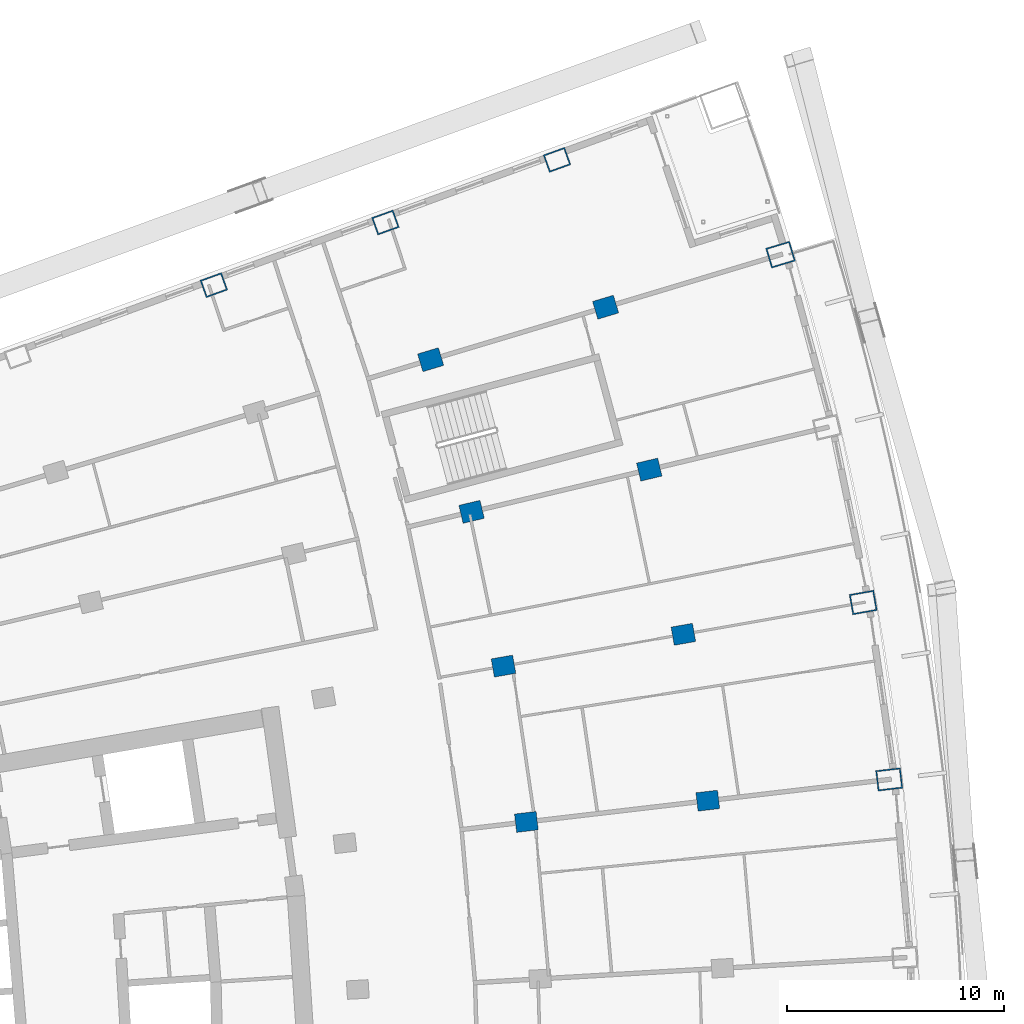
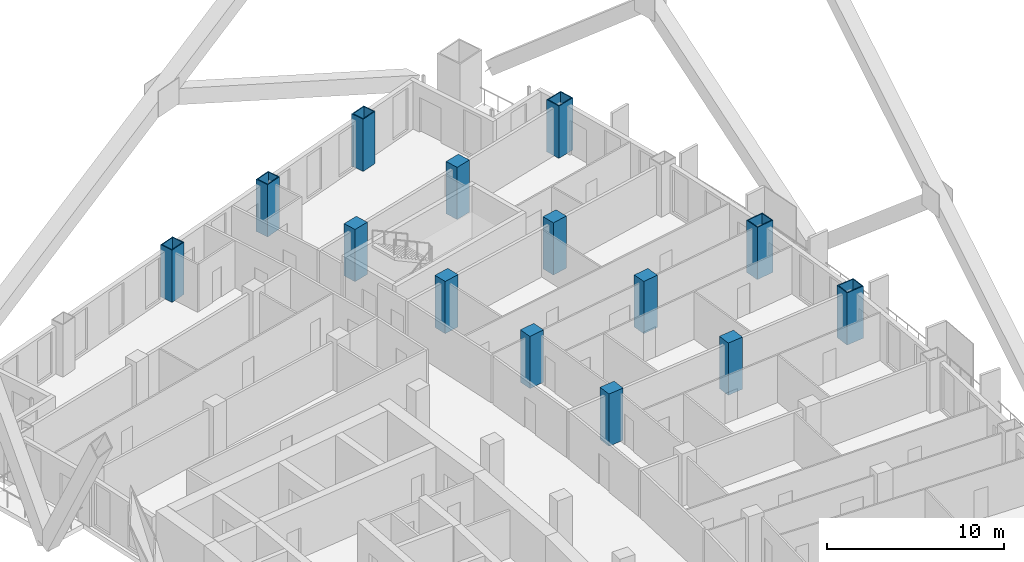
# One storey, part 7 of 24: 14 columns.
"""IFC4 building model written with IfcOpenShell, lengths in metres."""

from ifc_helpers import new_model, si_unit, direction, frame, origin, origin_2d, place, context, subcontext, project, spatial, rectangle, hollow_rectangle, extrude, material, material_profile, profile_set, type_object, element, save


model = new_model("IFC4")

# Units and contexts
model_context = context("Model", 3, precision=1e-05, world=origin(), true_north=direction((0.0, 1.0)))
body_context = subcontext(model_context, "Body", "Model", "MODEL_VIEW")
ifc_project = project(units=[si_unit("LENGTHUNIT", "METRE"), si_unit("AREAUNIT", "SQUARE_METRE"), si_unit("VOLUMEUNIT", "CUBIC_METRE"), si_unit("PLANEANGLEUNIT", "RADIAN"), si_unit("MASSUNIT", "GRAM", prefix="KILO")], contexts=[model_context])

# Site, building, storey
site_placement = place(None, origin())
site = spatial("IfcSite", under=ifc_project, at=site_placement, CompositionType="ELEMENT")
building_placement = place(site_placement, origin())
building = spatial("IfcBuilding", under=site, at=building_placement, Name="Alderwake Tower", CompositionType="ELEMENT")
storey_placement = place(building_placement, frame((0.0, 0.0, 104.0)))
storey = spatial("IfcBuildingStorey", under=building, at=storey_placement, Name="L25", CompositionType="ELEMENT", Elevation=104.0)

# Columns
ifc_material_1 = material(Name="Steel ASTM A572 Grade 50 concrete filled C70/85", Category="concrete")
ifc_material_profile_1 = material_profile(ifc_material_1, hollow_rectangle(XDim=0.85009765625, YDim=1.050048828125, WallThickness=0.06005859375, at=origin_2d()), Name="BOX 1050X850X60")
ifc_profile_set_1 = profile_set([ifc_material_profile_1], Name="Steel ASTM A572 Grade 50 concrete filled C70/85")
column_type_1 = type_object("IfcColumnType", Name="End column Z2", PredefinedType="COLUMN", material=ifc_profile_set_1)
for number, where, z_axis, x_axis, name in (
    (1, (28.983642578125, 100.143310546875, 0.0), (0.0, 0.0, 1.0), (-0.338026774049, 0.941136493834, 0.0), "Column R13-C2"),
    (2, (36.87451171875, 103.023681640625, 0.0), (0.0, 0.0, 1.0), (-0.338355272059, 0.941018442896, 0.0), "Column R13-C3"),
    (3, (44.765380859375, 105.904296875, 0.0), (0.0, 0.0, 1.0), (-0.338644316206, 0.940914463223, 0.0), "Column R13-C4"),
):
    element("IfcColumn", number, at=place(storey_placement, frame(where, z_axis=z_axis, x_axis=x_axis)), inside=storey, type_object=column_type_1, Name=name, PredefinedType="COLUMN", context=body_context, shape_type="SweptSolid", body=[
        extrude(hollow_rectangle(XDim=0.85009765625, YDim=1.050048828125, WallThickness=0.06005859375, at=origin_2d()), origin(), (0.0, 0.0, 1.0), 3.60009765625),
    ])
ifc_material_2 = material(Name="Concrete C70/85", Category="concrete")
ifc_material_profile_2 = material_profile(ifc_material_2, rectangle(XDim=0.85009765625, YDim=1.0, at=origin_2d()), Name="RC 1000X850")
ifc_profile_set_2 = profile_set([ifc_material_profile_2], Name="Concrete C70/85")
column_type_2 = type_object("IfcColumnType", Name="Interior column Z2", PredefinedType="COLUMN", material=ifc_profile_set_2)
for number, where, z_axis, x_axis, name in (
    (4, (43.355712890625, 75.457275390625, 0.0), (0.0, 0.0, 1.0), (-0.116402054316, 0.993202175668, 0.0), "Column R09-C3"),
    (5, (51.698486328125, 76.434814453125, 0.0), (0.0, 0.0, 1.0), (-0.116402054316, 0.993202175668, 0.0), "Column R09-C4"),
    (6, (42.302978515625, 82.624267578125, 0.0), (0.0, 0.0, 1.0), (-0.174108800747, 0.984726421654, 0.0), "Column R10-C3"),
    (7, (50.57470703125, 84.086669921875, 0.0), (0.0, 0.0, 1.0), (-0.174107082075, 0.984726725529, 0.0), "Column R10-C4"),
    (8, (40.834228515625, 89.7177734375, 0.0), (0.0, 0.0, 1.0), (-0.231221547198, 0.972901123502, 0.0), "Column R11-C3"),
    (9, (49.006591796875, 91.659912109375, 0.0), (0.0, 0.0, 1.0), (-0.231221547198, 0.972901123502, 0.0), "Column R11-C4"),
    (10, (38.95458984375, 96.713623046875, 0.0), (0.0, 0.0, 1.0), (-0.287549418125, 0.957765802342, 0.0), "Column R12-C3"),
    (11, (46.999755859375, 99.12890625, 0.0), (0.0, 0.0, 1.0), (-0.287549418125, 0.957765802342, 0.0), "Column R12-C4"),
):
    element("IfcColumn", number, at=place(storey_placement, frame(where, z_axis=z_axis, x_axis=x_axis)), inside=storey, type_object=column_type_2, Name=name, PredefinedType="COLUMN", context=body_context, shape_type="SweptSolid", body=[
        extrude(rectangle(XDim=0.85009765625, YDim=1.0, at=origin_2d()), origin(), (0.0, 0.0, 1.0), 3.60009765625),
    ])
ifc_material_3 = material(Name="Steel ASTM A572 Grade 50 concrete filled C70/85", Category="concrete")
ifc_material_profile_3 = material_profile(ifc_material_3, hollow_rectangle(XDim=0.949951171875, YDim=1.14990234375, WallThickness=0.06005859375, at=origin_2d()), Name="BOX 1150X950X60")
ifc_profile_set_3 = profile_set([ifc_material_profile_3], Name="Steel ASTM A572 Grade 50 concrete filled C70/85")
column_type_3 = type_object("IfcColumnType", Name="Perimeter column Z2", PredefinedType="COLUMN", material=ifc_profile_set_3)
for number, where, z_axis, x_axis, name in (
    (12, (60.04150390625, 77.41259765625, 0.0), (0.0, 0.0, 1.0), (-0.116402054316, 0.993202175668, 0.0), "Column R09-C5"),
    (13, (58.846435546875, 85.54931640625, 0.0), (0.0, 0.0, 1.0), (-0.174107082075, 0.984726725529, 0.0), "Column R10-C5"),
    (14, (55.044921875, 101.54443359375, 0.0), (0.0, 0.0, 1.0), (-0.287549418125, 0.957765802342, 0.0), "Column R12-C5"),
):
    element("IfcColumn", number, at=place(storey_placement, frame(where, z_axis=z_axis, x_axis=x_axis)), inside=storey, type_object=column_type_3, Name=name, PredefinedType="COLUMN", context=body_context, shape_type="SweptSolid", body=[
        extrude(hollow_rectangle(XDim=0.949951171875, YDim=1.14990234375, WallThickness=0.06005859375, at=origin_2d()), origin(), (0.0, 0.0, 1.0), 3.60009765625),
    ])

save(model, "model.ifc")
